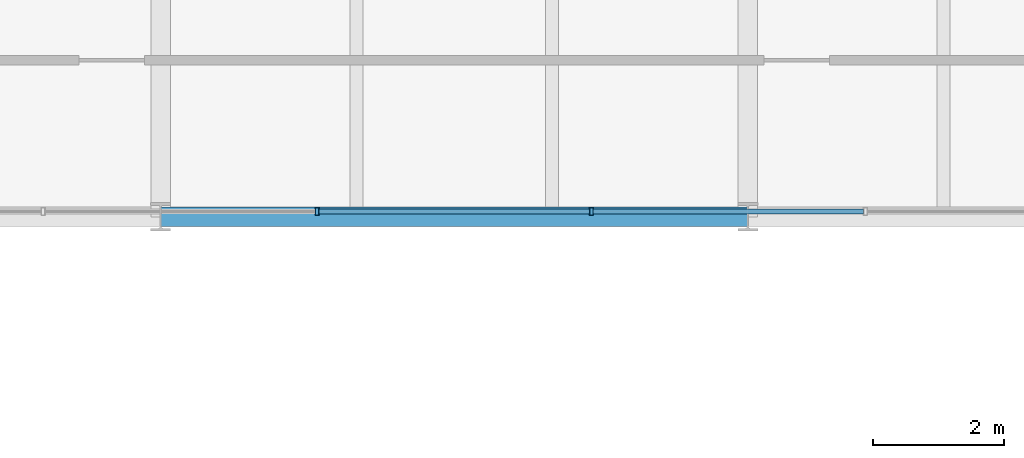
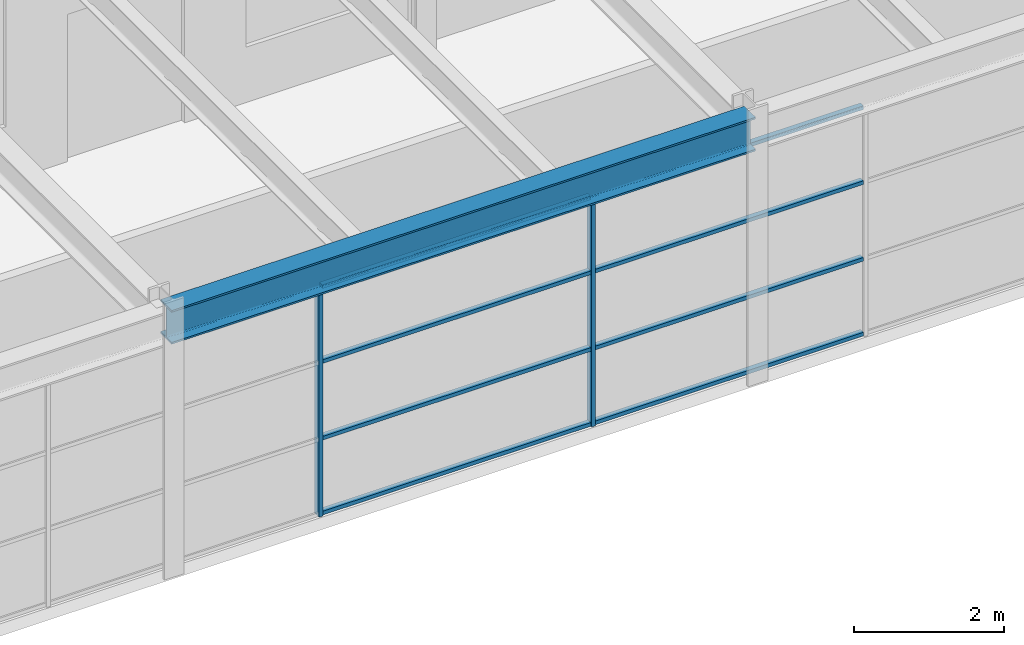
# One storey, part 46 of 149: 10 members, 1 beam, 1 element without a shape of its own.
"""IFC4 building model written with IfcOpenShell, lengths in metres."""

from ifc_helpers import new_model, si_unit, direction, frame, origin, origin_2d, place, context, subcontext, project, spatial, hollow_rectangle, i_section, extrude, material, material_profile, profile_set, type_object, element, aggregate, save


model = new_model("IFC4")

# Units and contexts
model_context = context("Model", 3, precision=1e-05, world=origin(), true_north=direction((0.0, 1.0)))
body_context = subcontext(model_context, "Body", "Model", "MODEL_VIEW")
ifc_project = project(units=[si_unit("LENGTHUNIT", "METRE"), si_unit("AREAUNIT", "SQUARE_METRE"), si_unit("VOLUMEUNIT", "CUBIC_METRE"), si_unit("PLANEANGLEUNIT", "RADIAN"), si_unit("MASSUNIT", "GRAM", prefix="KILO")], contexts=[model_context])

# Site, building, storey
site_placement = place(None, origin())
site = spatial("IfcSite", under=ifc_project, at=site_placement, CompositionType="ELEMENT")
building_placement = place(site_placement, origin())
building = spatial("IfcBuilding", under=site, at=building_placement, Name="Kallimachos Central Library", CompositionType="ELEMENT")
storey_placement = place(building_placement, frame((0.0, 0.0, 9.89990234375)))
storey = spatial("IfcBuildingStorey", under=building, at=storey_placement, Name="L02", CompositionType="ELEMENT", Elevation=9.89990234375)

# Curtain wall, members
ifc_material_1 = material(Name="Aluminium and laminated glass", Category="aluminium")
curtain_wall_type = type_object("IfcCurtainWallType", Name="Atrium glazed screen", PredefinedType="NOTDEFINED", material=ifc_material_1)
curtain_wall_placement = place(storey_placement, origin())
curtain_wall = element("IfcCurtainWall", 1, at=curtain_wall_placement, inside=storey, type_object=curtain_wall_type, Name="L02 atrium screen N", PredefinedType="NOTDEFINED")
ifc_material_2 = material(Name="Anodised aluminium", Category="aluminium")
ifc_material_profile_1 = material_profile(ifc_material_2, hollow_rectangle(XDim=0.06005859375, YDim=0.1201171875, WallThickness=0.00390625, at=origin_2d()), Name="ALU MULLION 60x120")
ifc_profile_set_1 = profile_set([ifc_material_profile_1], Name="Anodised aluminium")
member_type_1 = type_object("IfcMemberType", Name="Atrium screen mullion", PredefinedType="MULLION", material=ifc_profile_set_1)
member_1_placement = place(storey_placement, frame((85.89990234375, 75.080078125, 0.0), z_axis=(0.0, 0.0, 1.0), x_axis=(1.0, 0.0, 0.0)))
member_1 = element("IfcMember", 2, at=member_1_placement, type_object=member_type_1, Name="CW mullion 3", PredefinedType="MULLION", context=body_context, shape_type="SweptSolid", body=[
    extrude(hollow_rectangle(XDim=0.06005859375, YDim=0.1201171875, WallThickness=0.00390625, at=origin_2d()), origin(), (0.0, 0.0, 1.0), 3.75),
])
member_2_placement = place(storey_placement, frame((90.10009765625, 75.080078125, 0.0), z_axis=(0.0, 0.0, 1.0), x_axis=(1.0, 0.0, 0.0)))
member_2 = element("IfcMember", 3, at=member_2_placement, type_object=member_type_1, Name="CW mullion 4", PredefinedType="MULLION", context=body_context, shape_type="SweptSolid", body=[
    extrude(hollow_rectangle(XDim=0.06005859375, YDim=0.1201171875, WallThickness=0.00390625, at=origin_2d()), origin(), (0.0, 0.0, 1.0), 3.75),
])
ifc_material_3 = material(Name="Anodised aluminium", Category="aluminium")
ifc_material_profile_2 = material_profile(ifc_material_3, hollow_rectangle(XDim=0.06005859375, YDim=0.080078125, WallThickness=0.00390625, at=origin_2d()), Name="ALU TRANSOM 60x80")
ifc_profile_set_2 = profile_set([ifc_material_profile_2], Name="Anodised aluminium")
member_type_2 = type_object("IfcMemberType", Name="Atrium screen transom", PredefinedType="USERDEFINED", material=ifc_profile_set_2)
member_3_placement = place(storey_placement, frame((85.929931640625, 75.080078125, 0.030029296875), z_axis=(1.0, 0.0, 0.0), x_axis=(0.0, 0.0, 1.0)))
member_3 = element("IfcMember", 4, at=member_3_placement, type_object=member_type_2, Name="CW transom 3.1", ObjectType="TRANSOM", PredefinedType="USERDEFINED", context=body_context, shape_type="SweptSolid", body=[
    extrude(hollow_rectangle(XDim=0.06005859375, YDim=0.080078125, WallThickness=0.00390625, at=origin_2d()), origin(), (0.0, 0.0, 1.0), 4.14013671875),
])
member_4_placement = place(storey_placement, frame((85.929931640625, 75.080078125, 1.25), z_axis=(1.0, 0.0, 0.0), x_axis=(0.0, 0.0, 1.0)))
member_4 = element("IfcMember", 5, at=member_4_placement, type_object=member_type_2, Name="CW transom 3.2", ObjectType="TRANSOM", PredefinedType="USERDEFINED", context=body_context, shape_type="SweptSolid", body=[
    extrude(hollow_rectangle(XDim=0.06005859375, YDim=0.080078125, WallThickness=0.00390625, at=origin_2d()), origin(), (0.0, 0.0, 1.0), 4.14013671875),
])
member_5_placement = place(storey_placement, frame((85.929931640625, 75.080078125, 2.5), z_axis=(1.0, 0.0, 0.0), x_axis=(0.0, 0.0, 1.0)))
member_5 = element("IfcMember", 6, at=member_5_placement, type_object=member_type_2, Name="CW transom 3.3", ObjectType="TRANSOM", PredefinedType="USERDEFINED", context=body_context, shape_type="SweptSolid", body=[
    extrude(hollow_rectangle(XDim=0.06005859375, YDim=0.080078125, WallThickness=0.00390625, at=origin_2d()), origin(), (0.0, 0.0, 1.0), 4.14013671875),
])
member_6_placement = place(storey_placement, frame((85.929931640625, 75.080078125, 3.72021484375), z_axis=(1.0, 0.0, 0.0), x_axis=(0.0, 0.0, 1.0)))
member_6 = element("IfcMember", 7, at=member_6_placement, type_object=member_type_2, Name="CW transom 3.4", ObjectType="TRANSOM", PredefinedType="USERDEFINED", context=body_context, shape_type="SweptSolid", body=[
    extrude(hollow_rectangle(XDim=0.06005859375, YDim=0.080078125, WallThickness=0.00390625, at=origin_2d()), origin(), (0.0, 0.0, 1.0), 4.14013671875),
])
member_7_placement = place(storey_placement, frame((90.1298828125, 75.080078125, 0.030029296875), z_axis=(1.0, 0.0, 0.0), x_axis=(0.0, 0.0, 1.0)))
member_7 = element("IfcMember", 8, at=member_7_placement, type_object=member_type_2, Name="CW transom 4.1", ObjectType="TRANSOM", PredefinedType="USERDEFINED", context=body_context, shape_type="SweptSolid", body=[
    extrude(hollow_rectangle(XDim=0.06005859375, YDim=0.080078125, WallThickness=0.00390625, at=origin_2d()), origin(), (0.0, 0.0, 1.0), 4.14013671875),
])
member_8_placement = place(storey_placement, frame((90.1298828125, 75.080078125, 1.25), z_axis=(1.0, 0.0, 0.0), x_axis=(0.0, 0.0, 1.0)))
member_8 = element("IfcMember", 9, at=member_8_placement, type_object=member_type_2, Name="CW transom 4.2", ObjectType="TRANSOM", PredefinedType="USERDEFINED", context=body_context, shape_type="SweptSolid", body=[
    extrude(hollow_rectangle(XDim=0.06005859375, YDim=0.080078125, WallThickness=0.00390625, at=origin_2d()), origin(), (0.0, 0.0, 1.0), 4.14013671875),
])
member_9_placement = place(storey_placement, frame((90.1298828125, 75.080078125, 2.5), z_axis=(1.0, 0.0, 0.0), x_axis=(0.0, 0.0, 1.0)))
member_9 = element("IfcMember", 10, at=member_9_placement, type_object=member_type_2, Name="CW transom 4.3", ObjectType="TRANSOM", PredefinedType="USERDEFINED", context=body_context, shape_type="SweptSolid", body=[
    extrude(hollow_rectangle(XDim=0.06005859375, YDim=0.080078125, WallThickness=0.00390625, at=origin_2d()), origin(), (0.0, 0.0, 1.0), 4.14013671875),
])
member_10_placement = place(storey_placement, frame((90.1298828125, 75.080078125, 3.72021484375), z_axis=(1.0, 0.0, 0.0), x_axis=(0.0, 0.0, 1.0)))
member_10 = element("IfcMember", 11, at=member_10_placement, type_object=member_type_2, Name="CW transom 4.4", ObjectType="TRANSOM", PredefinedType="USERDEFINED", context=body_context, shape_type="SweptSolid", body=[
    extrude(hollow_rectangle(XDim=0.06005859375, YDim=0.080078125, WallThickness=0.00390625, at=origin_2d()), origin(), (0.0, 0.0, 1.0), 4.14013671875),
])
aggregate(curtain_wall, [member_1, member_2, member_3, member_4, member_5, member_6, member_7, member_8, member_9, member_10])

# Beam
ifc_material_4 = material(Name="Steel S355J2", Category="steel")
ifc_material_profile_3 = material_profile(ifc_material_4, i_section(OverallWidth=0.300048828125, OverallDepth=0.550048828125, WebThickness=0.014892578125, FlangeThickness=0.029052734375, FilletRadius=0.027099609375, at=origin_2d()), Name="HEB 550")
ifc_profile_set_3 = profile_set([ifc_material_profile_3], Name="Steel S355J2")
beam_type = type_object("IfcBeamType", Name="HEB 550 beam", PredefinedType="BEAM", material=ifc_profile_set_3)
beam_placement = place(storey_placement, frame((83.5, 75.0, 4.025146484375), z_axis=(1.0, 0.0, 0.0), x_axis=(0.0, 1.0, 0.0)))
element("IfcBeam", 12, at=beam_placement, inside=storey, type_object=beam_type, Name="V4-BEM-L02-002", PredefinedType="BEAM", context=body_context, shape_type="SweptSolid", body=[
    extrude(i_section(OverallWidth=0.300048828125, OverallDepth=0.550048828125, WebThickness=0.014892578125, FlangeThickness=0.029052734375, FilletRadius=0.027099609375, at=origin_2d()), origin(), (0.0, 0.0, 1.0), 9.0),
])

save(model, "model.ifc")
